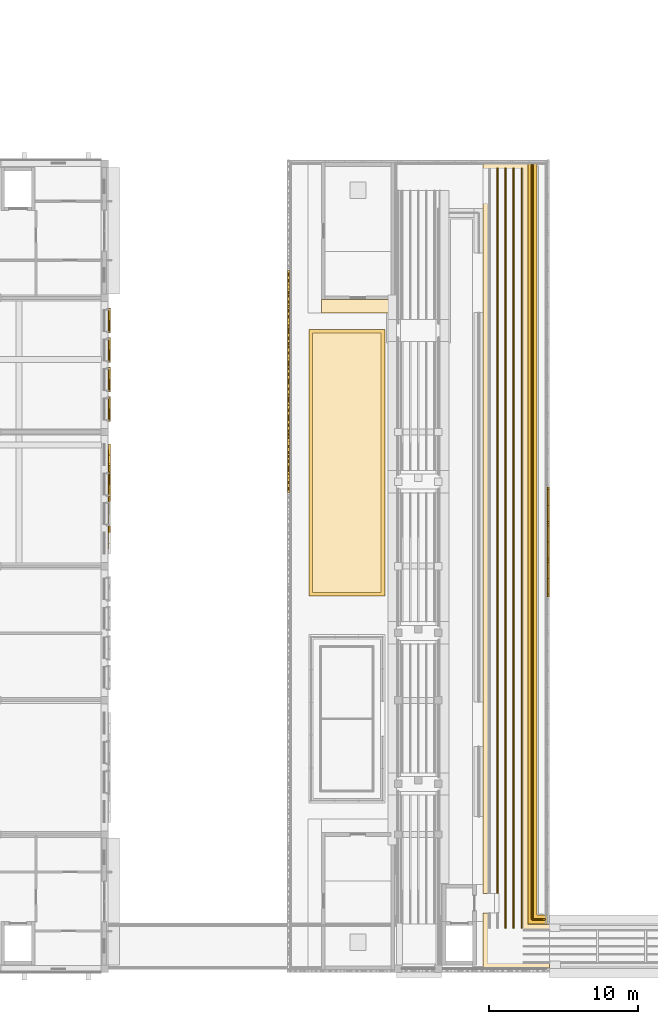
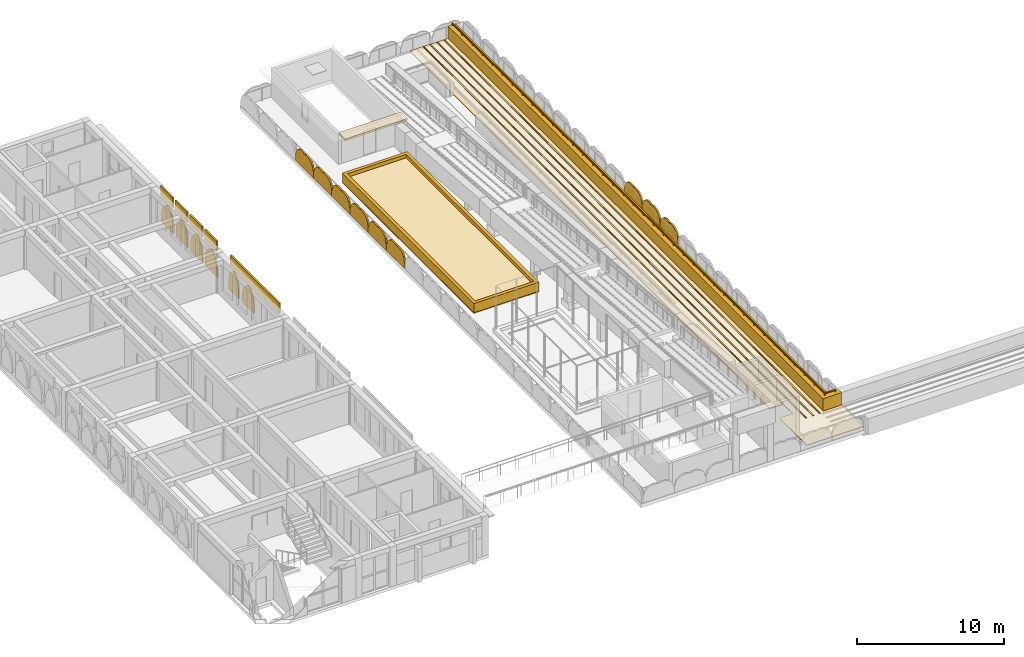
# One storey, part 48 of 50: 15 coverings, 15 shading devices, 1 railing.
"""IFC4 building model written with IfcOpenShell, lengths in metres."""

from ifc_helpers import new_model, si_unit, direction, frame, origin, origin_2d, place, context, subcontext, project, spatial, polyline, rectangle, circle, outline, extrude, material, layer, layer_set, type_object, element, save


model = new_model("IFC4")

# Units and contexts
model_context = context("Model", 3, precision=1e-05, world=origin(), true_north=direction((0.0, 1.0)))
body_context = subcontext(model_context, "Body", "Model", "MODEL_VIEW")
ifc_project = project(units=[si_unit("LENGTHUNIT", "METRE"), si_unit("AREAUNIT", "SQUARE_METRE"), si_unit("VOLUMEUNIT", "CUBIC_METRE"), si_unit("PLANEANGLEUNIT", "RADIAN"), si_unit("MASSUNIT", "GRAM", prefix="KILO")], contexts=[model_context])

# Site, building, storey
site_placement = place(None, origin())
site = spatial("IfcSite", under=ifc_project, at=site_placement, CompositionType="ELEMENT")
building_placement = place(site_placement, origin())
building = spatial("IfcBuilding", under=site, at=building_placement, Name="Elbe Cascade School", CompositionType="ELEMENT")
storey_placement = place(building_placement, frame((0.0, 0.0, 15.300048828125)))
storey = spatial("IfcBuildingStorey", under=building, at=storey_placement, Name="L04", CompositionType="ELEMENT", Elevation=15.300048828125)

# Shading devices
ifc_material_1 = material(Name="Precast concrete C40/50", Category="concrete")
ifc_layer_1 = layer(ifc_material_1, 0.1201171875)
ifc_layer_set_1 = layer_set([ifc_layer_1], Name="Precast concrete C40/50")
shading_device_type_1 = type_object("IfcShadingDeviceType", Name="Bars envelope Attic jali screen, pointed arch top, pierced precast concrete, 1200 high", PredefinedType="USERDEFINED", material=ifc_layer_set_1)
shading_device_1_placement = place(storey_placement, frame((98.3798828125, 37.95458984375, 0.39990234375), z_axis=(-1.0, 0.0, 0.0), x_axis=(0.0, 0.296914729778, 0.954903996871)))
element("IfcShadingDevice", 1, at=shading_device_1_placement, inside=storey, type_object=shading_device_type_1, Name="Attic jali screen SD1 B.L04.w14", ObjectType="JALI", PredefinedType="USERDEFINED", context=body_context, shape_type="SweptSolid", body=[
    extrude(outline(polyline([(0.0, 0.0), (0.5213118135497831, 2.7755575615628914e-17), (0.730927669136395, 0.09691772307437502), (0.8773650620393721, 0.21347995097534359), (0.9849420905019789, 0.3423809640007578), (1.0621396183974305, 0.48047240936850977), (1.1125270975525943, 0.6269000837217165), (1.1363376588260814, 0.7815914981126785), (1.1317062553490027, 0.9451265641229927), (1.2282536445091836, 1.0772014268316772), (1.2963590689187985, 1.218119941159714), (1.3379600643944363, 1.3675353263841168), (1.3526785221820867, 1.5250538097353636), (1.3370899683502817, 1.6919958562875592), (1.282641050078106, 1.8712766879642004), (1.1649411801745964, 2.069968893608824), (0.7355453523079154, 2.365578822327823), (0.3536770059027736, 2.4843157186597797), (-0.3818683464051418, 0.11873689633195678), (0.0, 0.0)])), origin(), (0.0, 0.0, -1.0), 0.1201171875),
])
shading_device_2_placement = place(storey_placement, frame((98.3798828125, 40.431884765625, 0.39990234375), z_axis=(-1.0, 0.0, 0.0), x_axis=(0.0, 0.296914729778, 0.954903996871)))
element("IfcShadingDevice", 2, at=shading_device_2_placement, inside=storey, type_object=shading_device_type_1, Name="Attic jali screen SD1 B.L04.w15", ObjectType="JALI", PredefinedType="USERDEFINED", context=body_context, shape_type="SweptSolid", body=[
    extrude(outline(polyline([(0.0, 0.0), (0.5213118135497831, 2.7755575615628914e-17), (0.730927669136395, 0.09691772307437502), (0.8773650620393721, 0.21347995097534359), (0.9848696015542793, 0.3421478331421466), (1.0621396183974305, 0.48047240936850977), (1.1125270975525943, 0.6269000837217165), (1.1363376588260814, 0.7815914981126785), (1.1317062553490027, 0.9451265641229927), (1.2282536445091836, 1.0772014268316772), (1.2963590689187985, 1.218119941159714), (1.3379600643944363, 1.3675353263841168), (1.3526785221820867, 1.5250538097353636), (1.3370899683502817, 1.6919958562875592), (1.2825685611304065, 1.8710435571055892), (1.1649411801745964, 2.069968893608824), (0.7355453523079154, 2.365578822327823), (0.3536770059027736, 2.4843157186597797), (-0.3818683464051418, 0.11873689633195678), (0.0, 0.0)])), origin(), (0.0, 0.0, -1.0), 0.1201171875),
])
shading_device_3_placement = place(storey_placement, frame((98.3798828125, 42.9091796875, 0.39990234375), z_axis=(-1.0, 0.0, 0.0), x_axis=(0.0, 0.296914729778, 0.954903996871)))
element("IfcShadingDevice", 3, at=shading_device_3_placement, inside=storey, type_object=shading_device_type_1, Name="Attic jali screen SD1 B.L04.w16", ObjectType="JALI", PredefinedType="USERDEFINED", context=body_context, shape_type="SweptSolid", body=[
    extrude(outline(polyline([(0.0, 0.0), (0.5213118135497831, 2.7755575615628914e-17), (0.730927669136395, 0.09691772307437502), (0.8773650620393721, 0.21347995097534359), (0.9848696015542793, 0.3421478331421466), (1.0620671294497308, 0.48023927850989856), (1.1125270975525943, 0.6269000837217165), (1.1363376588260814, 0.7815914981126785), (1.1317062553490027, 0.9451265641229927), (1.2282536445091836, 1.0772014268316772), (1.296431557866498, 1.218353072018325), (1.3379600643944363, 1.3675353263841168), (1.3526785221820867, 1.5250538097353636), (1.3370899683502817, 1.6919958562875592), (1.2825685611304065, 1.8710435571055892), (1.1648686912268968, 2.069735762750213), (0.7355453523079154, 2.365578822327823), (0.3536770059027736, 2.4843157186597797), (-0.3818683464051418, 0.11873689633195678), (0.0, 0.0)])), origin(), (0.0, 0.0, -1.0), 0.1201171875),
])
shading_device_4_placement = place(storey_placement, frame((98.3798828125, 45.386474609375, 0.39990234375), z_axis=(-1.0, 0.0, 0.0), x_axis=(0.0, 0.296914729778, 0.954903996871)))
element("IfcShadingDevice", 4, at=shading_device_4_placement, inside=storey, type_object=shading_device_type_1, Name="Attic jali screen SD1 B.L04.w17", ObjectType="JALI", PredefinedType="USERDEFINED", context=body_context, shape_type="SweptSolid", body=[
    extrude(outline(polyline([(0.0, 0.0), (0.5213118135497831, 2.7755575615628914e-17), (0.730927669136395, 0.09691772307437502), (0.8773650620393721, 0.21347995097534359), (0.9848696015542793, 0.3421478331421466), (1.0620671294497308, 0.48023927850989856), (1.1124546086048945, 0.6266669528631053), (1.1363376588260814, 0.7815914981126785), (1.1317062553490027, 0.9451265641229927), (1.2282536445091836, 1.0772014268316772), (1.296431557866498, 1.218353072018325), (1.3379600643944363, 1.3675353263841168), (1.3526785221820867, 1.5250538097353636), (1.3370899683502817, 1.6919958562875592), (1.2825685611304065, 1.8710435571055892), (1.1648686912268968, 2.069735762750213), (0.7354728633602158, 2.3653456914692117), (0.353604516955074, 2.4840825878011685), (-0.3818683464051418, 0.11873689633195678), (0.0, 0.0)])), origin(), (0.0, 0.0, -1.0), 0.1201171875),
])
shading_device_5_placement = place(storey_placement, frame((98.3798828125, 47.863525390625, 0.39990234375), z_axis=(-1.0, 0.0, 0.0), x_axis=(0.0, 0.297341674145, 0.954771139497)))
element("IfcShadingDevice", 5, at=shading_device_5_placement, inside=storey, type_object=shading_device_type_1, Name="Attic jali screen SD1 B.L04.w18", ObjectType="JALI", PredefinedType="USERDEFINED", context=body_context, shape_type="SweptSolid", body=[
    extrude(outline(polyline([(0.0, 0.0), (0.5213843546183408, 0.0), (0.7310435248660785, 0.0968239861308065), (0.8775330225543048, 0.21332072462811125), (0.9850950836468173, 0.3419405245468374), (1.0623543497845827, 0.47999743814690954), (1.112807297308533, 0.6264025676958647), (1.1367596178235617, 0.7813164184342674), (1.1322013375835094, 0.9448535389739736), (1.2288077728077673, 1.0768852184544173), (1.2969762004591083, 1.2177732661588931), (1.3386440011015277, 1.3671700350528164), (1.353432889947968, 1.5246819214728944), (1.337918983839661, 1.6916309215743182), (1.2834776411356403, 1.870702983097163), (1.1658666258721082, 2.0694477969865064), (0.7366030194201371, 2.365249695429385), (0.35478780299032203, 2.4841573278143447), (-0.38181521642981503, 0.11890763238495955), (0.0, 0.0)])), origin(), (0.0, 0.0, -1.0), 0.1201171875),
])
shading_device_6_placement = place(storey_placement, frame((98.3798828125, 50.3408203125, 0.39990234375), z_axis=(-1.0, 0.0, 0.0), x_axis=(0.0, 0.296914729778, 0.954903996871)))
element("IfcShadingDevice", 6, at=shading_device_6_placement, inside=storey, type_object=shading_device_type_1, Name="Attic jali screen SD1 B.L04.w19", ObjectType="JALI", PredefinedType="USERDEFINED", context=body_context, shape_type="SweptSolid", body=[
    extrude(outline(polyline([(0.0, 0.0), (0.5213118135497831, 2.7755575615628914e-17), (0.7310001580840946, 0.09715085393298623), (0.8774375509870718, 0.2137130818339548), (0.9849420905019789, 0.3423809640007578), (1.0621396183974305, 0.48047240936850977), (1.1125995865002938, 0.6271332145803277), (1.1364101477737811, 0.7818246289712897), (1.1317787442967022, 0.9453596949816039), (1.2283261334568831, 1.0774345576902884), (1.296431557866498, 1.218353072018325), (1.3379600643944363, 1.3675353263841168), (1.3527510111297865, 1.5252869405939748), (1.3371624572979814, 1.6922289871461704), (1.282641050078106, 1.8712766879642004), (1.1649411801745964, 2.069968893608824), (0.7355453523079154, 2.365578822327823), (0.3536770059027736, 2.4843157186597797), (-0.3818683464051418, 0.11873689633195678), (0.0, 0.0)])), origin(), (0.0, 0.0, -1.0), 0.1201171875),
])
shading_device_7_placement = place(storey_placement, frame((115.919921875, 30.96435546875, 0.0), z_axis=(1.0, 0.0, 0.0), x_axis=(0.0, 1.0, 0.0)))
element("IfcShadingDevice", 7, at=shading_device_7_placement, inside=storey, type_object=shading_device_type_1, Name="Attic jali screen SD1 B.L04.e11", ObjectType="JALI", PredefinedType="USERDEFINED", context=body_context, shape_type="SweptSolid", body=[
    extrude(outline(polyline([(0.0, 0.0), (2.4404296875, 0.0), (2.4404296875, 0.39990234375), (2.287841796875, 0.892822265625), (2.13525390625, 1.062744140625), (1.98291015625, 1.16748046875), (1.830322265625, 1.23193359375), (1.677734375, 1.265380859375), (1.525146484375, 1.271240234375), (1.372802734375, 1.250244140625), (1.22021484375, 1.199951171875), (1.067626953125, 1.250244140625), (0.9150390625, 1.271240234375), (0.762451171875, 1.265380859375), (0.610107421875, 1.23193359375), (0.45751953125, 1.16748046875), (0.304931640625, 1.062744140625), (0.15234375, 0.892822265625), (0.0, 0.39990234375), (0.0, 0.0)])), origin(), (0.0, 0.0, -1.0), 0.1201171875),
])
shading_device_8_placement = place(storey_placement, frame((115.919921875, 33.40478515625, 0.0), z_axis=(1.0, 0.0, 0.0), x_axis=(0.0, 1.0, 0.0)))
element("IfcShadingDevice", 8, at=shading_device_8_placement, inside=storey, type_object=shading_device_type_1, Name="Attic jali screen SD1 B.L04.e12", ObjectType="JALI", PredefinedType="USERDEFINED", context=body_context, shape_type="SweptSolid", body=[
    extrude(outline(polyline([(0.0, 0.0), (2.4404296875, 0.0), (2.4404296875, 0.39990234375), (2.287841796875, 0.892822265625), (2.135498046875, 1.062744140625), (1.98291015625, 1.16748046875), (1.830322265625, 1.23193359375), (1.677734375, 1.265380859375), (1.525390625, 1.271240234375), (1.372802734375, 1.250244140625), (1.22021484375, 1.199951171875), (1.067626953125, 1.250244140625), (0.9150390625, 1.271240234375), (0.7626953125, 1.265380859375), (0.610107421875, 1.23193359375), (0.45751953125, 1.16748046875), (0.304931640625, 1.062744140625), (0.152587890625, 0.892822265625), (0.0, 0.39990234375), (0.0, 0.0)])), origin(), (0.0, 0.0, -1.0), 0.1201171875),
])
shading_device_9_placement = place(storey_placement, frame((115.919921875, 35.84521484375, 0.0), z_axis=(1.0, 0.0, 0.0), x_axis=(0.0, 1.0, 0.0)))
element("IfcShadingDevice", 9, at=shading_device_9_placement, inside=storey, type_object=shading_device_type_1, Name="Attic jali screen SD1 B.L04.e13", ObjectType="JALI", PredefinedType="USERDEFINED", context=body_context, shape_type="SweptSolid", body=[
    extrude(outline(polyline([(0.0, 0.0), (2.4404296875, 0.0), (2.4404296875, 0.39990234375), (2.2880859375, 0.892822265625), (2.135498046875, 1.062744140625), (1.98291015625, 1.16748046875), (1.830322265625, 1.23193359375), (1.677978515625, 1.265380859375), (1.525390625, 1.271240234375), (1.372802734375, 1.250244140625), (1.22021484375, 1.199951171875), (1.067626953125, 1.250244140625), (0.915283203125, 1.271240234375), (0.7626953125, 1.265380859375), (0.610107421875, 1.23193359375), (0.45751953125, 1.16748046875), (0.30517578125, 1.062744140625), (0.152587890625, 0.892822265625), (0.0, 0.39990234375), (0.0, 0.0)])), origin(), (0.0, 0.0, -1.0), 0.1201171875),
])
ifc_material_2 = material(Name="Precast concrete C40/50", Category="concrete")
ifc_layer_2 = layer(ifc_material_2, 0.10009765625)
ifc_layer_set_2 = layer_set([ifc_layer_2], Name="Precast concrete C40/50")
shading_device_type_2 = type_object("IfcShadingDeviceType", Name="Bars envelope Jali screen 1400 x 1840, pointed arch rise 1200, pierced precast concrete", PredefinedType="USERDEFINED", material=ifc_layer_set_2)
shading_device_10_placement = place(storey_placement, frame((86.5, 39.77001953125, 0.599853515625), z_axis=(1.0, 0.0, 0.0), x_axis=(0.0, 1.0, 0.0)))
element("IfcShadingDevice", 10, at=shading_device_10_placement, inside=storey, type_object=shading_device_type_2, Name="Jali screen SD6 A.L04.e4.4", ObjectType="JALI", PredefinedType="USERDEFINED", context=body_context, shape_type="SweptSolid", body=[
    extrude(outline(polyline([(0.0, 0.0), (1.39990234375, 0.0), (1.39990234375, 0.64013671875), (1.3125, 1.123291015625), (1.22509765625, 1.312255859375), (1.137451171875, 1.44921875), (1.050048828125, 1.55810546875), (0.96240234375, 1.6474609375), (0.875, 1.72265625), (0.78759765625, 1.7861328125), (0.699951171875, 1.840087890625), (0.612548828125, 1.7861328125), (0.52490234375, 1.72265625), (0.4375, 1.6474609375), (0.35009765625, 1.55810546875), (0.262451171875, 1.44921875), (0.175048828125, 1.312255859375), (0.08740234375, 1.123291015625), (0.0, 0.64013671875), (0.0, 0.0)])), origin(), (0.0, 0.0, -1.0), 0.10009765625),
])
ifc_material_3 = material(Name="Precast concrete C40/50", Category="concrete")
ifc_layer_3 = layer(ifc_material_3, 0.10009765625)
ifc_layer_set_3 = layer_set([ifc_layer_3], Name="Precast concrete C40/50")
shading_device_type_3 = type_object("IfcShadingDeviceType", Name="Bars envelope Jali screen 1600 x 1840, pointed arch rise 1200, pierced precast concrete", PredefinedType="USERDEFINED", material=ifc_layer_set_3)
shading_device_11_placement = place(storey_placement, frame((86.5, 37.68994140625, 0.599853515625), z_axis=(1.0, 0.0, 0.0), x_axis=(0.0, 1.0, 0.0)))
element("IfcShadingDevice", 11, at=shading_device_11_placement, inside=storey, type_object=shading_device_type_3, Name="Jali screen SD7 A.L04.e4.3", ObjectType="JALI", PredefinedType="USERDEFINED", context=body_context, shape_type="SweptSolid", body=[
    extrude(outline(polyline([(0.0, 0.0), (1.60009765625, 0.0), (1.60009765625, 0.64013671875), (1.5, 1.14013671875), (1.400146484375, 1.3330078125), (1.300048828125, 1.470703125), (1.199951171875, 1.578125), (1.10009765625, 1.664794921875), (1.0, 1.735595703125), (0.900146484375, 1.79345703125), (0.800048828125, 1.840087890625), (0.699951171875, 1.79345703125), (0.60009765625, 1.735595703125), (0.5, 1.664794921875), (0.400146484375, 1.578125), (0.300048828125, 1.470703125), (0.199951171875, 1.3330078125), (0.10009765625, 1.14013671875), (0.0, 0.64013671875), (0.0, 0.0)])), origin(), (0.0, 0.0, -1.0), 0.10009765625),
])
shading_device_12_placement = place(storey_placement, frame((86.5, 42.72998046875, 0.599853515625), z_axis=(1.0, 0.0, 0.0), x_axis=(0.0, 1.0, 0.0)))
element("IfcShadingDevice", 12, at=shading_device_12_placement, inside=storey, type_object=shading_device_type_3, Name="Jali screen SD7 A.L04.e5.1", ObjectType="JALI", PredefinedType="USERDEFINED", context=body_context, shape_type="SweptSolid", body=[
    extrude(outline(polyline([(0.0, 0.0), (1.60009765625, 0.0), (1.60009765625, 0.64013671875), (1.5, 1.14013671875), (1.39990234375, 1.3330078125), (1.300048828125, 1.470703125), (1.199951171875, 1.578125), (1.10009765625, 1.664794921875), (1.0, 1.735595703125), (0.89990234375, 1.79345703125), (0.800048828125, 1.840087890625), (0.699951171875, 1.79345703125), (0.60009765625, 1.735595703125), (0.5, 1.664794921875), (0.39990234375, 1.578125), (0.300048828125, 1.470703125), (0.199951171875, 1.3330078125), (0.10009765625, 1.14013671875), (0.0, 0.64013671875), (0.0, 0.0)])), origin(), (0.0, 0.0, -1.0), 0.10009765625),
])
for number, where, z_axis, x_axis, name in (
    (13, (86.5, 44.7099609375, 0.599853515625), (1.0, 0.0, 0.0), (0.0, 1.0, 0.0), "Jali screen SD7 A.L04.e5.2"),
    (14, (86.5, 46.68994140625, 0.599853515625), (1.0, 0.0, 0.0), (0.0, 1.0, 0.0), "Jali screen SD7 A.L04.e5.3"),
):
    element("IfcShadingDevice", number, at=place(storey_placement, frame(where, z_axis=z_axis, x_axis=x_axis)), inside=storey, type_object=shading_device_type_3, Name=name, ObjectType="JALI", PredefinedType="USERDEFINED", context=body_context, shape_type="SweptSolid", body=[
        extrude(outline(polyline([(0.0, 0.0), (1.60009765625, 0.0), (1.60009765625, 0.64013671875), (1.5, 1.14013671875), (1.400146484375, 1.3330078125), (1.300048828125, 1.470703125), (1.199951171875, 1.578125), (1.10009765625, 1.664794921875), (1.0, 1.735595703125), (0.900146484375, 1.79345703125), (0.800048828125, 1.840087890625), (0.699951171875, 1.79345703125), (0.60009765625, 1.735595703125), (0.5, 1.664794921875), (0.400146484375, 1.578125), (0.300048828125, 1.470703125), (0.199951171875, 1.3330078125), (0.10009765625, 1.14013671875), (0.0, 0.64013671875), (0.0, 0.0)])), origin(), (0.0, 0.0, -1.0), 0.10009765625),
    ])
shading_device_13_placement = place(storey_placement, frame((86.5, 48.669921875, 0.599853515625), z_axis=(1.0, 0.0, 0.0), x_axis=(0.0, 1.0, 0.0)))
element("IfcShadingDevice", 15, at=shading_device_13_placement, inside=storey, type_object=shading_device_type_3, Name="Jali screen SD7 A.L04.e5.4", ObjectType="JALI", PredefinedType="USERDEFINED", context=body_context, shape_type="SweptSolid", body=[
    extrude(outline(polyline([(0.0, 0.0), (1.60009765625, 0.0), (1.60009765625, 0.64013671875), (1.5, 1.14013671875), (1.400146484375, 1.3330078125), (1.300048828125, 1.470703125), (1.2001953125, 1.578125), (1.10009765625, 1.664794921875), (1.0, 1.735595703125), (0.900146484375, 1.79345703125), (0.800048828125, 1.840087890625), (0.7001953125, 1.79345703125), (0.60009765625, 1.735595703125), (0.5, 1.664794921875), (0.400146484375, 1.578125), (0.300048828125, 1.470703125), (0.2001953125, 1.3330078125), (0.10009765625, 1.14013671875), (0.0, 0.64013671875), (0.0, 0.0)])), origin(), (0.0, 0.0, -1.0), 0.10009765625),
])

# Coverings
ifc_material_4 = material(Name="Bituminous waterproofing membrane", Category="membrane")
ifc_layer_4 = layer(ifc_material_4, 0.06005859375)
ifc_layer_set_4 = layer_set([ifc_layer_4], Name="Bituminous waterproofing membrane")
covering_type_1 = type_object("IfcCoveringType", Name="Bars envelope Roof covering, bituminous waterproofing membrane", PredefinedType="ROOFING", material=ifc_layer_set_4)
covering_1_placement = place(storey_placement, origin())
element("IfcCovering", 16, at=covering_1_placement, inside=storey, type_object=covering_type_1, Name="Roof covering CV49 B.L04.2", PredefinedType="ROOFING", context=body_context, shape_type="SweptSolid", body=[
    extrude(outline(polyline([(99.800048828125, 48.875), (104.89990234375, 48.875), (104.89990234375, 31.0), (99.800048828125, 31.0), (99.800048828125, 48.875)])), origin(), (0.0, 0.0, 1.0), 0.06005859375),
])
ifc_material_5 = material(Name="Sandstone - red", Category="masonry")
covering_type_2 = type_object("IfcCoveringType", Name="Bars envelope Sandstone spandrel band, 120 deep", PredefinedType="CLADDING", material=ifc_material_5)
covering_2_placement = place(storey_placement, frame((86.409912109375, 37.5, 2.75), z_axis=(0.0, 0.0, 1.0), x_axis=(0.0, 1.0, 0.0)))
element("IfcCovering", 17, at=covering_2_placement, inside=storey, type_object=covering_type_2, Name="Spandrel band CV53 A.L04.e3.1", PredefinedType="CLADDING", context=body_context, shape_type="SweptSolid", body=[
    extrude(rectangle(XDim=6.639892578125, YDim=0.1201171875, at=origin_2d()), origin(), (0.0, 0.0, 1.0), 0.85009765625),
])
for number, where, z_axis, x_axis, name in (
    (18, (86.409912109375, 43.530029296875, 2.75), (0.0, 0.0, 1.0), (0.0, 1.0, 0.0), "Spandrel band CV53 A.L04.e4.1"),
    (19, (86.409912109375, 45.510009765625, 2.75), (0.0, 0.0, 1.0), (0.0, 1.0, 0.0), "Spandrel band CV53 A.L04.e4.2"),
    (20, (86.409912109375, 47.489990234375, 2.75), (0.0, 0.0, 1.0), (0.0, 1.0, 0.0), "Spandrel band CV53 A.L04.e4.3"),
    (21, (86.409912109375, 49.469970703125, 2.75), (0.0, 0.0, 1.0), (0.0, 1.0, 0.0), "Spandrel band CV53 A.L04.e4.4"),
):
    element("IfcCovering", number, at=place(storey_placement, frame(where, z_axis=z_axis, x_axis=x_axis)), inside=storey, type_object=covering_type_2, Name=name, PredefinedType="CLADDING", context=body_context, shape_type="SweptSolid", body=[
        extrude(rectangle(XDim=1.639892578125, YDim=0.1201171875, at=origin_2d()), origin(), (0.0, 0.0, 1.0), 0.85009765625),
    ])
ifc_material_6 = material(Name="Running track surfacing - white lines", Category="surfacing")
ifc_layer_5 = layer(ifc_material_6, 0.02001953125)
ifc_layer_set_5 = layer_set([ifc_layer_5], Name="Running track surfacing - white lines")
covering_type_3 = type_object("IfcCoveringType", Name="Lane marking 80", PredefinedType="FLOORING", material=ifc_layer_set_5)
covering_3_placement = place(storey_placement, frame((0.0, 0.0, 0.219970703125)))
element("IfcCovering", 22, at=covering_3_placement, inside=storey, type_object=covering_type_3, Name="Lane marking B roof strip 2", PredefinedType="FLOORING", context=body_context, shape_type="SweptSolid", body=[
    extrude(outline(polyline([(112.419921875, 59.699951171875), (112.5, 59.699951171875), (112.5, 11.050048828125), (112.419921875, 11.050048828125), (112.419921875, 59.699951171875)])), origin(), (0.0, 0.0, 1.0), 0.02001953125),
])
covering_4_placement = place(storey_placement, frame((0.0, 0.0, 0.219970703125)))
element("IfcCovering", 23, at=covering_4_placement, inside=storey, type_object=covering_type_3, Name="Lane marking B roof strip 3", PredefinedType="FLOORING", context=body_context, shape_type="SweptSolid", body=[
    extrude(outline(polyline([(112.9599609375, 59.699951171875), (113.0400390625, 59.699951171875), (113.0400390625, 8.699951171875), (112.9599609375, 8.699951171875), (112.9599609375, 59.699951171875)])), origin(), (0.0, 0.0, 1.0), 0.02001953125),
])
covering_5_placement = place(storey_placement, frame((0.0, 0.0, 0.219970703125)))
element("IfcCovering", 24, at=covering_5_placement, inside=storey, type_object=covering_type_3, Name="Lane marking B roof strip 4", PredefinedType="FLOORING", context=body_context, shape_type="SweptSolid", body=[
    extrude(outline(polyline([(113.5, 59.699951171875), (113.580078125, 59.699951171875), (113.580078125, 8.699951171875), (113.5, 8.699951171875), (113.5, 59.699951171875)])), origin(), (0.0, 0.0, 1.0), 0.02001953125),
])
covering_6_placement = place(storey_placement, frame((0.0, 0.0, 0.219970703125)))
element("IfcCovering", 25, at=covering_6_placement, inside=storey, type_object=covering_type_3, Name="Lane marking B roof strip 5", PredefinedType="FLOORING", context=body_context, shape_type="SweptSolid", body=[
    extrude(outline(polyline([(114.0400390625, 59.699951171875), (114.1201171875, 59.699951171875), (114.1201171875, 8.699951171875), (114.0400390625, 8.699951171875), (114.0400390625, 59.699951171875)])), origin(), (0.0, 0.0, 1.0), 0.02001953125),
])
ifc_material_7 = material(Name="Concrete C30/37 precast kerb", Category="concrete")
ifc_layer_6 = layer(ifc_material_7, 0.25)
ifc_layer_set_6 = layer_set([ifc_layer_6], Name="Concrete C30/37 precast kerb")
covering_type_4 = type_object("IfcCoveringType", Name="Planting bed kerb 250x750", PredefinedType="CLADDING", material=ifc_layer_set_6)
covering_7_placement = place(storey_placement, frame((0.0, 0.0, 0.06005859375)))
element("IfcCovering", 26, at=covering_7_placement, inside=storey, type_object=covering_type_4, Name="Planting bed kerb B W2", PredefinedType="CLADDING", context=body_context, shape_type="SweptSolid", body=[
    extrude(outline(polyline([(104.89990234375, 31.0), (99.800048828125, 31.0), (99.800048828125, 48.875), (102.89990234375, 48.875), (103.300048828125, 48.875), (104.89990234375, 48.875), (104.89990234375, 31.0)]), holes=[polyline([(104.64990234375, 31.25), (100.050048828125, 31.25), (100.050048828125, 48.625), (104.64990234375, 48.625), (104.64990234375, 31.25)])]), origin(), (0.0, 0.0, 1.0), 0.75),
])
ifc_material_8 = material(Name="Precast concrete C30/37", Category="concrete")
ifc_layer_7 = layer(ifc_material_8, 0.14990234375)
ifc_layer_set_7 = layer_set([ifc_layer_7], Name="Precast concrete C30/37")
covering_type_5 = type_object("IfcCoveringType", Name="Roof head eave, precast concrete, 900 x 150", PredefinedType="USERDEFINED", material=ifc_layer_set_7)
covering_8_placement = place(storey_placement, frame((0.0, 0.0, 2.5)))
element("IfcCovering", 27, at=covering_8_placement, inside=storey, type_object=covering_type_5, Name="Stair head eave B.L04.north.i", ObjectType="EAVE", PredefinedType="USERDEFINED", context=body_context, shape_type="SweptSolid", body=[
    extrude(outline(polyline([(100.64990234375, 49.97509765625), (105.550048828125, 49.97509765625), (105.550048828125, 50.875), (100.64990234375, 50.875), (100.64990234375, 49.97509765625)])), origin(), (0.0, 0.0, 1.0), 0.14990234375),
])
ifc_material_9 = material(Name="Planting - soil and shrubs", Category="soil")
ifc_layer_8 = layer(ifc_material_9, 0.449951171875)
ifc_layer_set_8 = layer_set([ifc_layer_8], Name="Planting - soil and shrubs")
covering_type_6 = type_object("IfcCoveringType", Name="Roof planting bed 450", PredefinedType="USERDEFINED", material=ifc_layer_set_8)
covering_9_placement = place(storey_placement, frame((0.0, 0.0, 0.06005859375)))
element("IfcCovering", 28, at=covering_9_placement, inside=storey, type_object=covering_type_6, Name="Planting bed B W2", ObjectType="PLANTING BED", PredefinedType="USERDEFINED", context=body_context, shape_type="SweptSolid", body=[
    extrude(outline(polyline([(104.64990234375, 31.25), (100.050048828125, 31.25), (100.050048828125, 48.625), (104.64990234375, 48.625), (104.64990234375, 31.25)])), origin(), (0.0, 0.0, 1.0), 0.449951171875),
])
ifc_material_10 = material(Name="Running track surfacing - red", Category="surfacing")
ifc_layer_9 = layer(ifc_material_10, 0.06005859375)
ifc_layer_set_9 = layer_set([ifc_layer_9], Name="Running track surfacing - red")
covering_type_7 = type_object("IfcCoveringType", Name="Running track surfacing 60", PredefinedType="USERDEFINED", material=ifc_layer_set_9)
covering_10_placement = place(storey_placement, frame((0.0, 0.0, 0.06005859375)))
element("IfcCovering", 29, at=covering_10_placement, inside=storey, type_object=covering_type_7, Name="Running track B roof", ObjectType="RUNNING TRACK", PredefinedType="USERDEFINED", context=body_context, shape_type="SweptSolid", body=[
    extrude(outline(polyline([(111.5, 59.969970703125), (114.5, 59.969970703125), (114.5, 8.969970703125), (115.949951171875, 8.969970703125), (115.949951171875, 6.030029296875), (111.5, 6.030029296875), (111.5, 9.75), (112.550048828125, 9.75), (112.550048828125, 11.050048828125), (111.5, 11.050048828125), (111.5, 59.969970703125)])), origin(), (0.0, 0.0, 1.0), 0.059814453125),
])

# Railing
ifc_material_11 = material(Name="Steel S355J2H", Category="steel")
railing_type = type_object("IfcRailingType", Name="Track edge rail 1280", PredefinedType="GUARDRAIL", material=ifc_material_11)
railing_placement = place(storey_placement, frame((114.800048828125, 59.927978515625, 0.06005859375)))
element("IfcRailing", 30, at=railing_placement, inside=storey, type_object=railing_type, Name="Track edge rail RL6 B east", PredefinedType="GUARDRAIL", context=body_context, shape_type="SweptSolid", body=[
    extrude(circle(Radius=0.06005859375, at=origin_2d()), frame((0.0, 0.0, 1.219970703125), z_axis=(0.0, -1.0, 0.0), x_axis=(1.0, 0.0, 0.0)), (0.0, 0.0, 1.0), 50.6279296875),
    extrude(circle(Radius=0.06005859375, at=origin_2d()), frame((0.0, -50.6279296875, 1.219970703125), z_axis=(1.0, 0.0, 0.0), x_axis=(0.0, 1.0, 0.0)), (0.0, 0.0, 1.0), 0.85791015625),
    extrude(circle(Radius=0.0400390625, at=origin_2d()), origin(), (0.0, 0.0, 1.0), 1.159912109375),
    extrude(circle(Radius=0.0400390625, at=origin_2d()), frame((0.0, -1.368408203125, 0.0)), (0.0, 0.0, 1.0), 1.159912109375),
    extrude(circle(Radius=0.0400390625, at=origin_2d()), frame((0.0, -2.736572265625, 0.0)), (0.0, 0.0, 1.0), 1.159912109375),
    extrude(circle(Radius=0.0400390625, at=origin_2d()), frame((0.0, -4.10498046875, 0.0)), (0.0, 0.0, 1.0), 1.159912109375),
    extrude(circle(Radius=0.0400390625, at=origin_2d()), frame((0.0, -5.473388671875, 0.0)), (0.0, 0.0, 1.0), 1.159912109375),
    extrude(circle(Radius=0.0400390625, at=origin_2d()), frame((0.0, -6.841552734375, 0.0)), (0.0, 0.0, 1.0), 1.159912109375),
    extrude(circle(Radius=0.0400390625, at=origin_2d()), frame((0.0, -8.2099609375, 0.0)), (0.0, 0.0, 1.0), 1.159912109375),
    extrude(circle(Radius=0.0400390625, at=origin_2d()), frame((0.0, -9.578369140625, 0.0)), (0.0, 0.0, 1.0), 1.159912109375),
    extrude(circle(Radius=0.0400390625, at=origin_2d()), frame((0.0, -10.946533203125, 0.0)), (0.0, 0.0, 1.0), 1.159912109375),
    extrude(circle(Radius=0.0400390625, at=origin_2d()), frame((0.0, -12.31494140625, 0.0)), (0.0, 0.0, 1.0), 1.159912109375),
    extrude(circle(Radius=0.0400390625, at=origin_2d()), frame((0.0, -13.68310546875, 0.0)), (0.0, 0.0, 1.0), 1.159912109375),
    extrude(circle(Radius=0.0400390625, at=origin_2d()), frame((0.0, -15.051513671875, 0.0)), (0.0, 0.0, 1.0), 1.159912109375),
    extrude(circle(Radius=0.0400390625, at=origin_2d()), frame((0.0, -16.419921875, 0.0)), (0.0, 0.0, 1.0), 1.159912109375),
    extrude(circle(Radius=0.0400390625, at=origin_2d()), frame((0.0, -17.7880859375, 0.0)), (0.0, 0.0, 1.0), 1.159912109375),
    extrude(circle(Radius=0.0400390625, at=origin_2d()), frame((0.0, -19.156494140625, 0.0)), (0.0, 0.0, 1.0), 1.159912109375),
    extrude(circle(Radius=0.0400390625, at=origin_2d()), frame((0.0, -20.52490234375, 0.0)), (0.0, 0.0, 1.0), 1.159912109375),
    extrude(circle(Radius=0.0400390625, at=origin_2d()), frame((0.0, -21.89306640625, 0.0)), (0.0, 0.0, 1.0), 1.159912109375),
    extrude(circle(Radius=0.0400390625, at=origin_2d()), frame((0.0, -23.261474609375, 0.0)), (0.0, 0.0, 1.0), 1.159912109375),
    extrude(circle(Radius=0.0400390625, at=origin_2d()), frame((0.0, -24.6298828125, 0.0)), (0.0, 0.0, 1.0), 1.159912109375),
    extrude(circle(Radius=0.0400390625, at=origin_2d()), frame((0.0, -25.998046875, 0.0)), (0.0, 0.0, 1.0), 1.159912109375),
    extrude(circle(Radius=0.0400390625, at=origin_2d()), frame((0.0, -27.366455078125, 0.0)), (0.0, 0.0, 1.0), 1.159912109375),
    extrude(circle(Radius=0.0400390625, at=origin_2d()), frame((0.0, -28.73486328125, 0.0)), (0.0, 0.0, 1.0), 1.159912109375),
    extrude(circle(Radius=0.0400390625, at=origin_2d()), frame((0.0, -30.10302734375, 0.0)), (0.0, 0.0, 1.0), 1.159912109375),
    extrude(circle(Radius=0.0400390625, at=origin_2d()), frame((0.0, -31.471435546875, 0.0)), (0.0, 0.0, 1.0), 1.159912109375),
    extrude(circle(Radius=0.0400390625, at=origin_2d()), frame((0.0, -32.83984375, 0.0)), (0.0, 0.0, 1.0), 1.159912109375),
    extrude(circle(Radius=0.0400390625, at=origin_2d()), frame((0.0, -34.2080078125, 0.0)), (0.0, 0.0, 1.0), 1.159912109375),
    extrude(circle(Radius=0.0400390625, at=origin_2d()), frame((0.0, -35.576416015625, 0.0)), (0.0, 0.0, 1.0), 1.159912109375),
    extrude(circle(Radius=0.0400390625, at=origin_2d()), frame((0.0, -36.94482421875, 0.0)), (0.0, 0.0, 1.0), 1.159912109375),
    extrude(circle(Radius=0.0400390625, at=origin_2d()), frame((0.0, -38.31298828125, 0.0)), (0.0, 0.0, 1.0), 1.159912109375),
    extrude(circle(Radius=0.0400390625, at=origin_2d()), frame((0.0, -39.681396484375, 0.0)), (0.0, 0.0, 1.0), 1.159912109375),
    extrude(circle(Radius=0.0400390625, at=origin_2d()), frame((0.0, -41.049560546875, 0.0)), (0.0, 0.0, 1.0), 1.159912109375),
    extrude(circle(Radius=0.0400390625, at=origin_2d()), frame((0.0, -42.41796875, 0.0)), (0.0, 0.0, 1.0), 1.159912109375),
    extrude(circle(Radius=0.0400390625, at=origin_2d()), frame((0.0, -43.786376953125, 0.0)), (0.0, 0.0, 1.0), 1.159912109375),
    extrude(circle(Radius=0.0400390625, at=origin_2d()), frame((0.0, -45.154541015625, 0.0)), (0.0, 0.0, 1.0), 1.159912109375),
    extrude(circle(Radius=0.0400390625, at=origin_2d()), frame((0.0, -46.52294921875, 0.0)), (0.0, 0.0, 1.0), 1.159912109375),
    extrude(circle(Radius=0.0400390625, at=origin_2d()), frame((0.0, -47.891357421875, 0.0)), (0.0, 0.0, 1.0), 1.159912109375),
    extrude(circle(Radius=0.0400390625, at=origin_2d()), frame((0.0, -49.259521484375, 0.0)), (0.0, 0.0, 1.0), 1.159912109375),
    extrude(circle(Radius=0.0400390625, at=origin_2d()), frame((0.0, -50.6279296875, 0.0)), (0.0, 0.0, 1.0), 1.159912109375),
    extrude(circle(Radius=0.0400390625, at=origin_2d()), frame((0.85791015625, -50.6279296875, 0.0)), (0.0, 0.0, 1.0), 1.159912109375),
])

# Covering
ifc_material_12 = material(Name="Concrete C30/37 precast parapet", Category="concrete")
ifc_layer_10 = layer(ifc_material_12, 0.60009765625)
ifc_layer_set_10 = layer_set([ifc_layer_10], Name="Concrete C30/37 precast parapet")
covering_type_8 = type_object("IfcCoveringType", Name="Track parapet on deck 600x1060", PredefinedType="CLADDING", material=ifc_layer_set_10)
covering_11_placement = place(storey_placement, frame((0.0, 0.0, 0.06005859375)))
element("IfcCovering", 31, at=covering_11_placement, inside=storey, type_object=covering_type_8, Name="Track parapet B east", PredefinedType="CLADDING", context=body_context, shape_type="SweptSolid", body=[
    extrude(outline(polyline([(114.5, 59.969970703125), (115.10009765625, 59.969970703125), (115.10009765625, 9.60009765625), (115.949951171875, 9.60009765625), (115.949951171875, 9.0), (114.5, 9.0), (114.5, 59.969970703125)])), origin(), (0.0, 0.0, 1.0), 1.059814453125),
])

save(model, "model.ifc")
